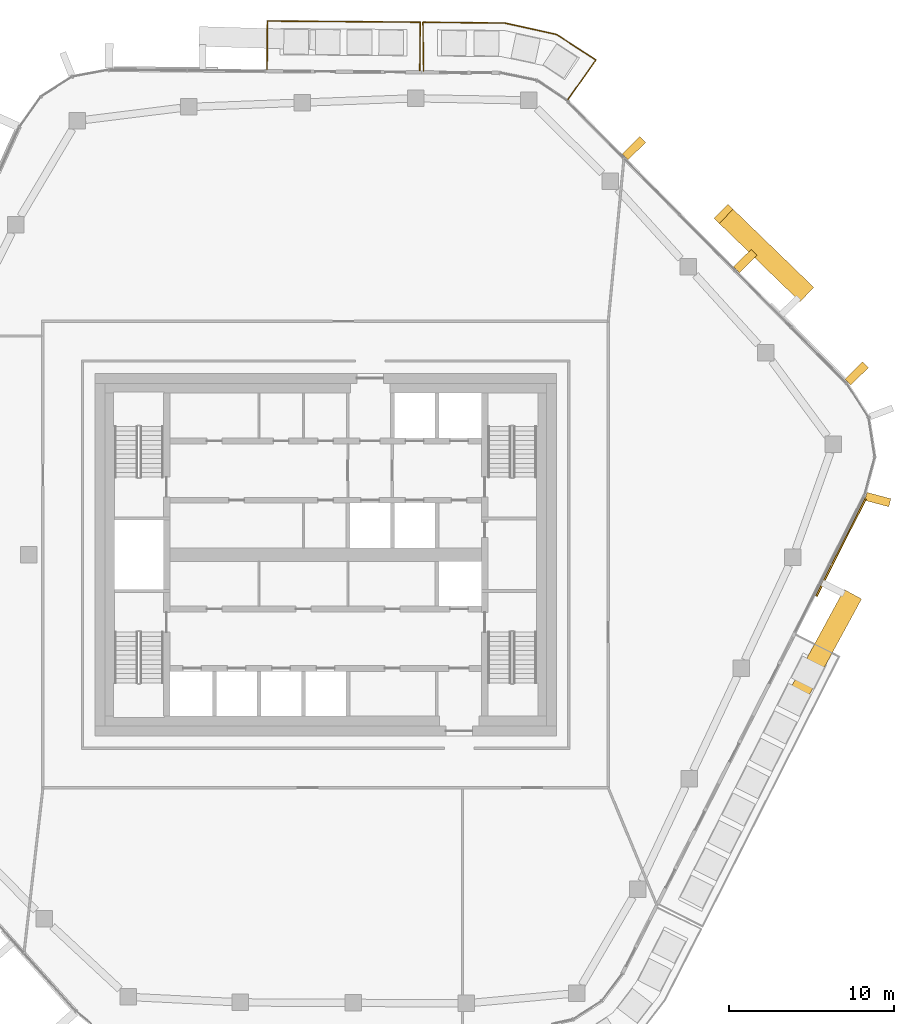
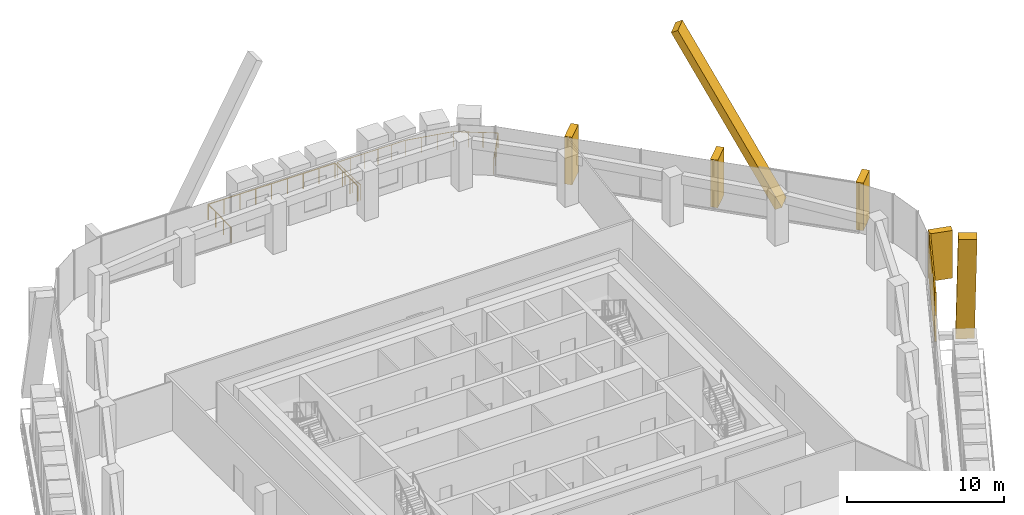
# One storey, part 23 of 23: 7 coverings, 2 railings, 3 elements without a shape of their own.
"""IFC4 building model written with IfcOpenShell, lengths in metres."""

import ifcopenshell
import ifcopenshell.guid

model = None  # the IFC model being written
_history = None  # IfcOwnerHistory: only IFC2X3 demands one
_inside = {}  # id of a spatial element -> (the spatial element, [elements in it])
_under = {}  # id of a project, library or spatial element -> (it, [spatial elements below it])
_declared = {}  # id of a project -> (the project, [libraries it declares])
_typed = {}  # id of a type object -> (the type object, [elements of that type])
_made_of = {}  # id of a material, layer set ... -> (it, [elements and type objects made of it])


def new_model(schema):
    """Start an empty IFC model of exactly this schema.

    Asked for "IFC4X3", IfcOpenShell would pick the latest addendum, in which some entities
    have other attributes; the version numbers below select the first issue.
    IFC2X3 requires an IfcOwnerHistory on every rooted entity: one is made here for all.
    """
    global model, _history
    if schema == "IFC4X3":
        model = ifcopenshell.file(schema_version=(4, 3, 0, 0))
    else:
        model = ifcopenshell.file(schema=schema)
    _inside.clear()
    _under.clear()
    _declared.clear()
    _typed.clear()
    _made_of.clear()
    _history = None
    if model.schema == "IFC2X3":
        org = make("IfcOrganization", Name="unknown")
        user = make(
            "IfcPersonAndOrganization",
            ThePerson=make("IfcPerson", FamilyName="unknown"),
            TheOrganization=org,
        )
        app = make(
            "IfcApplication",
            ApplicationDeveloper=org,
            Version="unknown",
            ApplicationFullName="unknown",
            ApplicationIdentifier="unknown",
        )
        _history = make(
            "IfcOwnerHistory",
            OwningUser=user,
            OwningApplication=app,
            ChangeAction="ADDED",
            CreationDate=0,
        )
    return model


def make(cls, **values):
    """One entity of the class cls with the attributes given. An attribute that is None is left unset."""
    return model.create_entity(
        cls, **{name: value for name, value in values.items() if value is not None}
    )


def rooted(cls, **values):
    """An entity with a GlobalId (a new one), such as an element, a storey or a relation."""
    return make(cls, GlobalId=ifcopenshell.guid.new(), OwnerHistory=_history, **values)


def si_unit(unit_type, name, prefix=None):
    """IfcSIUnit, for example si_unit("LENGTHUNIT", "METRE", prefix="MILLI")."""
    return make("IfcSIUnit", UnitType=unit_type, Prefix=prefix, Name=name)


def assignment(units):
    """IfcUnitAssignment: the units of a project."""
    return None if units is None else make("IfcUnitAssignment", Units=units)


def point(xyz):
    """IfcCartesianPoint."""
    return None if xyz is None else make("IfcCartesianPoint", Coordinates=xyz)


def direction(xyz):
    """IfcDirection."""
    return None if xyz is None else make("IfcDirection", DirectionRatios=xyz)


def frame(location, z_axis=None, x_axis=None):
    """IfcAxis2Placement3D, a coordinate frame: its origin and axes. An axis left out is left unset."""
    return make(
        "IfcAxis2Placement3D",
        Location=point(location),
        Axis=direction(z_axis),
        RefDirection=direction(x_axis),
    )


def frame_2d(location, x_axis=None):
    """IfcAxis2Placement2D, a coordinate frame in the plane: its origin and x axis."""
    return make(
        "IfcAxis2Placement2D", Location=point(location), RefDirection=direction(x_axis)
    )


def origin():
    """The frame at (0, 0, 0) with its axes left unset."""
    return frame((0.0, 0.0, 0.0))


def origin_2d():
    """The frame at (0, 0) in the plane with its x axis left unset."""
    return frame_2d((0.0, 0.0))


def place(relative_to, where):
    """IfcLocalPlacement: puts the frame where relative to a parent placement (None: the world)."""
    return make(
        "IfcLocalPlacement", PlacementRelTo=relative_to, RelativePlacement=where
    )


def context(
    kind, dimensions, precision=None, world=None, true_north=None, identifier=None
):
    """IfcGeometricRepresentationContext, for example the 3D "Model" context."""
    return make(
        "IfcGeometricRepresentationContext",
        ContextIdentifier=identifier,
        ContextType=kind,
        CoordinateSpaceDimension=dimensions,
        Precision=precision,
        WorldCoordinateSystem=world,
        TrueNorth=true_north,
    )


def subcontext(parent, identifier, kind, view, scale=None):
    """IfcGeometricRepresentationSubContext, for example "Body" below "Model"."""
    return make(
        "IfcGeometricRepresentationSubContext",
        ContextIdentifier=identifier,
        ContextType=kind,
        ParentContext=parent,
        TargetScale=scale,
        TargetView=view,
    )


def project(units=None, contexts=None):
    """IfcProject with its units and contexts."""
    return rooted(
        "IfcProject",
        Name="project",
        RepresentationContexts=contexts,
        UnitsInContext=assignment(units),
    )


def spatial(cls, under=None, at=None, **own):
    """A site, building, storey or space (cls), placed at a placement, below another one or the project."""
    s = rooted(cls, ObjectPlacement=at, **own)
    if under is not None:
        _under.setdefault(under.id(), (under, []))[1].append(s)
    return s


def profile(cls, at=None, kind="AREA", **sizes):
    """A parametric profile (cls). Its sizes go by their IFC names, for example OverallWidth=200.0."""
    return make(cls, ProfileType=kind, Position=at, **sizes)


def rectangle(**sizes):
    """IfcRectangleProfileDef."""
    return profile("IfcRectangleProfileDef", **sizes)


def circle(**sizes):
    """IfcCircleProfileDef."""
    return profile("IfcCircleProfileDef", **sizes)


def extrude(swept, where, along, depth):
    """IfcExtrudedAreaSolid: the profile swept, set in the frame where, extruded along a direction by depth."""
    return make(
        "IfcExtrudedAreaSolid",
        SweptArea=swept,
        Position=where,
        ExtrudedDirection=direction(along),
        Depth=depth,
    )


def shape(context_of_items, identifier, shape_type, items):
    """IfcShapeRepresentation: the items that make up one representation, for example the "Body"."""
    return make(
        "IfcShapeRepresentation",
        ContextOfItems=context_of_items,
        RepresentationIdentifier=identifier,
        RepresentationType=shape_type,
        Items=items,
    )


def material(Name=None, Category=None):
    """IfcMaterial."""
    return make("IfcMaterial", Name=Name, Category=Category)


def layer(
    of_material, thickness, ventilated=None, Name=None, Category=None, Priority=None
):
    """IfcMaterialLayer: one layer of a wall or slab, of a material (None: an air gap)."""
    return make(
        "IfcMaterialLayer",
        Material=of_material,
        LayerThickness=thickness,
        IsVentilated=ventilated,
        Name=Name,
        Category=Category,
        Priority=Priority,
    )


def layer_set(layers, Name=None):
    """IfcMaterialLayerSet."""
    return make("IfcMaterialLayerSet", MaterialLayers=layers, LayerSetName=Name)


def material_profile(
    of_material, cross_section, Name=None, Category=None, Priority=None
):
    """IfcMaterialProfile: a cross section and its material."""
    return make(
        "IfcMaterialProfile",
        Name=Name,
        Material=of_material,
        Profile=cross_section,
        Priority=Priority,
        Category=Category,
    )


def profile_set(profiles, Name=None, composite=None):
    """IfcMaterialProfileSet."""
    return make(
        "IfcMaterialProfileSet",
        Name=Name,
        MaterialProfiles=profiles,
        CompositeProfile=composite,
    )


def made_of(thing, what):
    """Note that an element or type object is made of a material, layer set ...; save() writes the relation."""
    if what is not None:
        _made_of.setdefault(what.id(), (what, []))[1].append(thing)
    return thing


def type_object(cls, material=None, **own):
    """A type object (cls), such as IfcWallType, which elements share."""
    return made_of(rooted(cls, **own), material)


def element(
    cls,
    number,
    at=None,
    inside=None,
    cuts=None,
    type_object=None,
    material=None,
    context=None,
    identifier="Body",
    shape_type=None,
    held_by="IfcProductDefinitionShape",
    body=None,
    shapes=None,
    **own,
):
    """One element of the class cls, such as IfcWall. Its Tag is "e" and its number.

    at: its placement. inside: the storey or other place that contains it. cuts: it is an
    opening in that element (IfcRelVoidsElement). A single representation is given by context,
    identifier, shape_type and body (its items); several are given by shapes. held_by: the class
    of the entity that holds the representations. save() writes the other relations.
    """
    e = rooted(cls, Tag="e%d" % number, ObjectPlacement=at, **own)
    if body is not None:
        shapes = [shape(context, identifier, shape_type, body)]
    if shapes is not None:
        e.Representation = make(held_by, Representations=shapes)
    if inside is not None:
        _inside.setdefault(inside.id(), (inside, []))[1].append(e)
    if cuts is not None:
        rooted(
            "IfcRelVoidsElement", RelatingBuildingElement=cuts, RelatedOpeningElement=e
        )
    if type_object is not None:
        _typed.setdefault(type_object.id(), (type_object, []))[1].append(e)
    return made_of(e, material)


def aggregate(whole, parts):
    """IfcRelAggregates: a whole, such as a stair, and the parts it consists of."""
    return rooted("IfcRelAggregates", RelatingObject=whole, RelatedObjects=parts)


def save(model, path):
    """Write the relations noted so far, then the file.

    IfcRelAggregates (storeys below a building ...), IfcRelContainedInSpatialStructure (elements
    in a storey), IfcRelDefinesByType, IfcRelAssociatesMaterial and IfcRelDeclares: one each for
    every whole, place, type object, material and project.
    """
    for whole, parts in _under.values():
        aggregate(whole, parts)
    for where, things in _inside.values():
        rooted(
            "IfcRelContainedInSpatialStructure",
            RelatedElements=things,
            RelatingStructure=where,
        )
    for kind, things in _typed.values():
        rooted("IfcRelDefinesByType", RelatedObjects=things, RelatingType=kind)
    for what, things in _made_of.values():
        rooted("IfcRelAssociatesMaterial", RelatedObjects=things, RelatingMaterial=what)
    for by, libraries in _declared.values():
        rooted("IfcRelDeclares", RelatingContext=by, RelatedDefinitions=libraries)
    model.write(path)


model = new_model("IFC4")

# Units and contexts
model_context = context("Model", 3, precision=1e-05, world=origin(), true_north=direction((0.0, 1.0)))
body_context = subcontext(model_context, "Body", "Model", "MODEL_VIEW")
ifc_project = project(units=[si_unit("LENGTHUNIT", "METRE"), si_unit("AREAUNIT", "SQUARE_METRE"), si_unit("VOLUMEUNIT", "CUBIC_METRE"), si_unit("PLANEANGLEUNIT", "RADIAN"), si_unit("MASSUNIT", "GRAM", prefix="KILO")], contexts=[model_context])

# Site, building, storey
site_placement = place(None, origin())
site = spatial("IfcSite", under=ifc_project, at=site_placement, CompositionType="ELEMENT")
building_placement = place(site_placement, origin())
building = spatial("IfcBuilding", under=site, at=building_placement, Name="Dongbaek Canopy Tower", CompositionType="ELEMENT")
storey_placement = place(building_placement, frame((0.0, 0.0, 327.800048828125)))
storey = spatial("IfcBuildingStorey", under=building, at=storey_placement, Name="L70", CompositionType="ELEMENT", Elevation=327.800048828125)

# Railings
ifc_material_1 = material(Name="Stainless steel", Category="steel")
railing_type = type_object("IfcRailingType", Name="Balcony balustrade 1200", PredefinedType="BALUSTRADE", material=ifc_material_1)
railing_1_placement = place(storey_placement, frame((5.717529296875, 29.3681640625, 0.0)))
element("IfcRailing", 1, at=railing_1_placement, inside=storey, type_object=railing_type, Name="Balcony guard L70 1", PredefinedType="BALUSTRADE", context=body_context, shape_type="SweptSolid", body=[
    extrude(circle(Radius=0.02392578125, at=origin_2d()), frame((0.0, 0.0, 1.17578125), z_axis=(0.007722739301, 0.999970179204, 0.0), x_axis=(-0.999970179204, 0.007722739301, 0.0)), (0.0, 0.0, 1.0), 2.93994140625),
    extrude(circle(Radius=0.02392578125, at=origin_2d()), frame((0.022705078125, 2.93994140625, 1.17578125), z_axis=(-0.9999698236, 0.007768647897, 0.0), x_axis=(-0.007768647897, -0.9999698236, 0.0)), (0.0, 0.0, 1.0), 9.270751953125),
    extrude(circle(Radius=0.02392578125, at=origin_2d()), frame((-9.247802734375, 3.011962890625, 1.17578125), z_axis=(-0.007806422703, -0.999969529418, 0.0), x_axis=(0.999969529418, -0.007806422703, 0.0)), (0.0, 0.0, 1.0), 2.939697265625),
    extrude(circle(Radius=0.02099609375, at=origin_2d()), origin(), (0.0, 0.0, 1.0), 1.15185546875),
    extrude(circle(Radius=0.02099609375, at=origin_2d()), frame((0.007568359375, 0.97998046875, 0.0)), (0.0, 0.0, 1.0), 1.15185546875),
    extrude(circle(Radius=0.02099609375, at=origin_2d()), frame((0.01513671875, 1.9599609375, 0.0)), (0.0, 0.0, 1.0), 1.15185546875),
    extrude(circle(Radius=0.02099609375, at=origin_2d()), frame((0.022705078125, 2.93994140625, 0.0)), (0.0, 0.0, 1.0), 1.15185546875),
    extrude(circle(Radius=0.02099609375, at=origin_2d()), frame((-1.13623046875, 2.948974609375, 0.0)), (0.0, 0.0, 1.0), 1.15185546875),
    extrude(circle(Radius=0.02099609375, at=origin_2d()), frame((-2.294921875, 2.9580078125, 0.0)), (0.0, 0.0, 1.0), 1.15185546875),
    extrude(circle(Radius=0.02099609375, at=origin_2d()), frame((-3.45361328125, 2.967041015625, 0.0)), (0.0, 0.0, 1.0), 1.15185546875),
    extrude(circle(Radius=0.02099609375, at=origin_2d()), frame((-4.612548828125, 2.97607421875, 0.0)), (0.0, 0.0, 1.0), 1.15185546875),
    extrude(circle(Radius=0.02099609375, at=origin_2d()), frame((-5.771484375, 2.98486328125, 0.0)), (0.0, 0.0, 1.0), 1.15185546875),
    extrude(circle(Radius=0.02099609375, at=origin_2d()), frame((-6.93017578125, 2.993896484375, 0.0)), (0.0, 0.0, 1.0), 1.15185546875),
    extrude(circle(Radius=0.02099609375, at=origin_2d()), frame((-8.0888671875, 3.0029296875, 0.0)), (0.0, 0.0, 1.0), 1.15185546875),
    extrude(circle(Radius=0.02099609375, at=origin_2d()), frame((-9.247802734375, 3.011962890625, 0.0)), (0.0, 0.0, 1.0), 1.15185546875),
    extrude(circle(Radius=0.02099609375, at=origin_2d()), frame((-9.25537109375, 2.031982421875, 0.0)), (0.0, 0.0, 1.0), 1.15185546875),
    extrude(circle(Radius=0.02099609375, at=origin_2d()), frame((-9.26318359375, 1.05224609375, 0.0)), (0.0, 0.0, 1.0), 1.15185546875),
    extrude(circle(Radius=0.02099609375, at=origin_2d()), frame((-9.270751953125, 0.072265625, 0.0)), (0.0, 0.0, 1.0), 1.15185546875),
])
railing_2_placement = place(storey_placement, frame((14.701171875, 27.611083984375, 0.0)))
element("IfcRailing", 2, at=railing_2_placement, inside=storey, type_object=railing_type, Name="Balcony guard L70 5", PredefinedType="BALUSTRADE", context=body_context, shape_type="SweptSolid", body=[
    extrude(circle(Radius=0.02392578125, at=origin_2d()), frame((0.0, 0.0, 1.17578125), z_axis=(0.577422879325, 0.816445232966, 0.0), x_axis=(-0.816445232966, 0.577422879325, 0.0)), (0.0, 0.0, 1.0), 2.940673828125),
    extrude(circle(Radius=0.02392578125, at=origin_2d()), frame((1.697998046875, 2.40087890625, 1.17578125), z_axis=(-0.838900130266, 0.544285376838, 0.0), x_axis=(-0.544285376838, -0.838900130266, 0.0)), (0.0, 0.0, 1.0), 2.857177734375),
    extrude(circle(Radius=0.02392578125, at=origin_2d()), frame((-0.698974609375, 3.9560546875, 1.17578125), z_axis=(-0.976611413959, 0.2150119674, 0.0), x_axis=(-0.2150119674, -0.976611413959, 0.0)), (0.0, 0.0, 1.0), 3.194091796875),
    extrude(circle(Radius=0.02392578125, at=origin_2d()), frame((-3.818359375, 4.642822265625, 1.17578125), z_axis=(-0.999943473544, 0.010632484014, 0.0), x_axis=(-0.010632484014, -0.999943473544, 0.0)), (0.0, 0.0, 1.0), 4.982666015625),
    extrude(circle(Radius=0.02392578125, at=origin_2d()), frame((-8.80078125, 4.69580078125, 1.17578125), z_axis=(0.012619386964, -0.999920372366, 0.0), x_axis=(0.999920372366, 0.012619386964, 0.0)), (0.0, 0.0, 1.0), 2.940673828125),
    extrude(circle(Radius=0.02099609375, at=origin_2d()), origin(), (0.0, 0.0, 1.0), 1.15185546875),
    extrude(circle(Radius=0.02099609375, at=origin_2d()), frame((0.56591796875, 0.80029296875, 0.0)), (0.0, 0.0, 1.0), 1.15185546875),
    extrude(circle(Radius=0.02099609375, at=origin_2d()), frame((1.132080078125, 1.6005859375, 0.0)), (0.0, 0.0, 1.0), 1.15185546875),
    extrude(circle(Radius=0.02099609375, at=origin_2d()), frame((1.697998046875, 2.40087890625, 0.0)), (0.0, 0.0, 1.0), 1.15185546875),
    extrude(circle(Radius=0.02099609375, at=origin_2d()), frame((0.89892578125, 2.919189453125, 0.0)), (0.0, 0.0, 1.0), 1.15185546875),
    extrude(circle(Radius=0.02099609375, at=origin_2d()), frame((0.10009765625, 3.437744140625, 0.0)), (0.0, 0.0, 1.0), 1.15185546875),
    extrude(circle(Radius=0.02099609375, at=origin_2d()), frame((-0.698974609375, 3.9560546875, 0.0)), (0.0, 0.0, 1.0), 1.15185546875),
    extrude(circle(Radius=0.02099609375, at=origin_2d()), frame((-1.73876953125, 4.18505859375, 0.0)), (0.0, 0.0, 1.0), 1.15185546875),
    extrude(circle(Radius=0.02099609375, at=origin_2d()), frame((-2.778564453125, 4.413818359375, 0.0)), (0.0, 0.0, 1.0), 1.15185546875),
    extrude(circle(Radius=0.02099609375, at=origin_2d()), frame((-3.818359375, 4.642822265625, 0.0)), (0.0, 0.0, 1.0), 1.15185546875),
    extrude(circle(Radius=0.02099609375, at=origin_2d()), frame((-4.81494140625, 4.6533203125, 0.0)), (0.0, 0.0, 1.0), 1.15185546875),
    extrude(circle(Radius=0.02099609375, at=origin_2d()), frame((-5.811279296875, 4.6640625, 0.0)), (0.0, 0.0, 1.0), 1.15185546875),
    extrude(circle(Radius=0.02099609375, at=origin_2d()), frame((-6.807861328125, 4.674560546875, 0.0)), (0.0, 0.0, 1.0), 1.15185546875),
    extrude(circle(Radius=0.02099609375, at=origin_2d()), frame((-7.80419921875, 4.685302734375, 0.0)), (0.0, 0.0, 1.0), 1.15185546875),
    extrude(circle(Radius=0.02099609375, at=origin_2d()), frame((-8.80078125, 4.69580078125, 0.0)), (0.0, 0.0, 1.0), 1.15185546875),
    extrude(circle(Radius=0.02099609375, at=origin_2d()), frame((-8.788330078125, 3.715576171875, 0.0)), (0.0, 0.0, 1.0), 1.15185546875),
    extrude(circle(Radius=0.02099609375, at=origin_2d()), frame((-8.776123046875, 2.735595703125, 0.0)), (0.0, 0.0, 1.0), 1.15185546875),
    extrude(circle(Radius=0.02099609375, at=origin_2d()), frame((-8.763671875, 1.75537109375, 0.0)), (0.0, 0.0, 1.0), 1.15185546875),
])

# Curtain wall, covering
ifc_material_2 = material(Name="Aluminium 6063-T6 pale anodised", Category="aluminium")
ifc_layer_1 = layer(ifc_material_2, 0.199951171875)
ifc_layer_set_1 = layer_set([ifc_layer_1], Name="CW-1 unitised tower curtain wall")
curtain_wall_type = type_object("IfcCurtainWallType", Name="CW-1 unitised tower curtain wall", PredefinedType="NOTDEFINED", material=ifc_layer_set_1)
curtain_wall_1_placement = place(storey_placement, origin())
curtain_wall_1 = element("IfcCurtainWall", 3, at=curtain_wall_1_placement, inside=storey, type_object=curtain_wall_type, Name="CW-1 curtain wall F5.1", PredefinedType="NOTDEFINED")
ifc_material_3 = material(Name="Aluminium 6063-T6 pale metal fin", Category="aluminium")
ifc_material_profile_1 = material_profile(ifc_material_3, rectangle(XDim=1.199951171875, YDim=0.5, at=origin_2d()), Name="Crease fin CF1 500 x 1200 pale metal")
ifc_profile_set_1 = profile_set([ifc_material_profile_1], Name="Aluminium 6063-T6 pale metal fin")
covering_type_1 = type_object("IfcCoveringType", Name="Crease fin CF1 500 x 1200 pale metal", PredefinedType="CLADDING", material=ifc_profile_set_1)
covering_1_placement = place(storey_placement, frame((31.887939453125, -2.594970703125, -0.18994140625), z_axis=(-0.231685547697, -0.425451826284, 0.874821439209), x_axis=(0.878224320201, -0.478248934559, 0.0)))
covering_1 = element("IfcCovering", 4, at=covering_1_placement, type_object=covering_type_1, Name="Crease fin L70 L73 F5", PredefinedType="CLADDING", context=body_context, shape_type="SweptSolid", body=[
    extrude(rectangle(XDim=1.199951171875, YDim=0.5, at=origin_2d()), origin(), (0.0, 0.0, 1.0), 14.40283203125),
])

curtain_wall_2_placement = place(storey_placement, origin())
curtain_wall_2 = element("IfcCurtainWall", 5, at=curtain_wall_2_placement, inside=storey, type_object=curtain_wall_type, Name="CW-1 curtain wall F0.1", PredefinedType="NOTDEFINED")
covering_2_placement = place(storey_placement, frame((29.047119140625, 15.9365234375, -0.18994140625), z_axis=(-0.342027122535, 0.331121514802, 0.879417983604), x_axis=(-0.695559745863, -0.718468259518, 0.0)))
covering_2 = element("IfcCovering", 6, at=covering_2_placement, type_object=covering_type_1, Name="Crease fin L70 L73 F0", PredefinedType="CLADDING", context=body_context, shape_type="SweptSolid", body=[
    extrude(rectangle(XDim=1.199951171875, YDim=0.5, at=origin_2d()), origin(), (0.0, 0.0, 1.0), 14.327392578125),
])

# Covering
ifc_material_4 = material(Name="Perforated aluminium 6063-T6 pale metal screen", Category="aluminium")
ifc_layer_2 = layer(ifc_material_4, 0.10009765625)
ifc_layer_set_2 = layer_set([ifc_layer_2], Name="Facet screen FS1 100 pale metal")
covering_type_2 = type_object("IfcCoveringType", Name="Facet screen FS1 100 pale metal", PredefinedType="CLADDING", material=ifc_layer_set_2)
covering_3_placement = place(storey_placement, frame((31.268310546875, 0.439208984375, 0.0), z_axis=(0.0, 0.0, 1.0), x_axis=(0.451969260113, 0.892033512775, 0.0)))
covering_3 = element("IfcCovering", 7, at=covering_3_placement, type_object=covering_type_2, Name="Facet screen L70 F5", PredefinedType="CLADDING", context=body_context, shape_type="SweptSolid", body=[
    extrude(rectangle(XDim=6.62548828125, YDim=0.10009765625, at=origin_2d()), origin(), (0.0, 0.0, 1.0), 3.820068359375),
])

aggregate(curtain_wall_1, [covering_1, covering_3])

# Curtain wall, covering
curtain_wall_3_placement = place(storey_placement, origin())
curtain_wall_3 = element("IfcCurtainWall", 8, at=curtain_wall_3_placement, inside=storey, type_object=curtain_wall_type, Name="CW-1 curtain wall K0.1", PredefinedType="NOTDEFINED")
ifc_material_5 = material(Name="Aluminium 6063-T6 pale metal fin", Category="aluminium")
ifc_material_profile_2 = material_profile(ifc_material_5, rectangle(XDim=1.5, YDim=0.5, at=origin_2d()), Name="Fin FN1 500 x 1500 pale metal")
ifc_profile_set_2 = profile_set([ifc_material_profile_2], Name="Aluminium 6063-T6 pale metal fin")
covering_type_3 = type_object("IfcCoveringType", Name="Fin FN1 500 x 1500 pale metal", PredefinedType="CLADDING", material=ifc_profile_set_2)
covering_4_placement = place(storey_placement, frame((33.50830078125, 3.34326171875, 0.119873046875), z_axis=(0.0, 0.0, 1.0), x_axis=(0.966173872892, -0.257891541817, 0.0)))
covering_4 = element("IfcCovering", 9, at=covering_4_placement, type_object=covering_type_3, Name="Fin K0.1.1", PredefinedType="CLADDING", context=body_context, shape_type="SweptSolid", body=[
    extrude(rectangle(XDim=1.5, YDim=0.5, at=origin_2d()), origin(), (0.0, 0.0, 1.0), 3.7001953125),
])
aggregate(curtain_wall_3, [covering_4])

# Covering
covering_5_placement = place(storey_placement, frame((32.220947265625, 10.9921875, 0.119873046875), z_axis=(0.0, 0.0, 1.0), x_axis=(0.711035260325, 0.703156354287, 0.0)))
covering_5 = element("IfcCovering", 10, at=covering_5_placement, type_object=covering_type_3, Name="Fin F0.1.1", PredefinedType="CLADDING", context=body_context, shape_type="SweptSolid", body=[
    extrude(rectangle(XDim=1.5, YDim=0.5, at=origin_2d()), origin(), (0.0, 0.0, 1.0), 3.7001953125),
])

covering_6_placement = place(storey_placement, frame((25.46728515625, 17.821533203125, 0.119873046875), z_axis=(0.0, 0.0, 1.0), x_axis=(0.711035260325, 0.703156354287, 0.0)))
covering_6 = element("IfcCovering", 11, at=covering_6_placement, type_object=covering_type_3, Name="Fin F0.1.3", PredefinedType="CLADDING", context=body_context, shape_type="SweptSolid", body=[
    extrude(rectangle(XDim=1.5, YDim=0.5, at=origin_2d()), origin(), (0.0, 0.0, 1.0), 3.7001953125),
])

covering_7_placement = place(storey_placement, frame((18.7060546875, 24.658447265625, 0.119873046875), z_axis=(0.0, 0.0, 1.0), x_axis=(0.711035260325, 0.703156354287, 0.0)))
covering_7 = element("IfcCovering", 12, at=covering_7_placement, type_object=covering_type_3, Name="Fin F0.1.5", PredefinedType="CLADDING", context=body_context, shape_type="SweptSolid", body=[
    extrude(rectangle(XDim=1.5, YDim=0.5, at=origin_2d()), origin(), (0.0, 0.0, 1.0), 3.7001953125),
])

aggregate(curtain_wall_2, [covering_5, covering_6, covering_7, covering_2])

save(model, "model.ifc")
